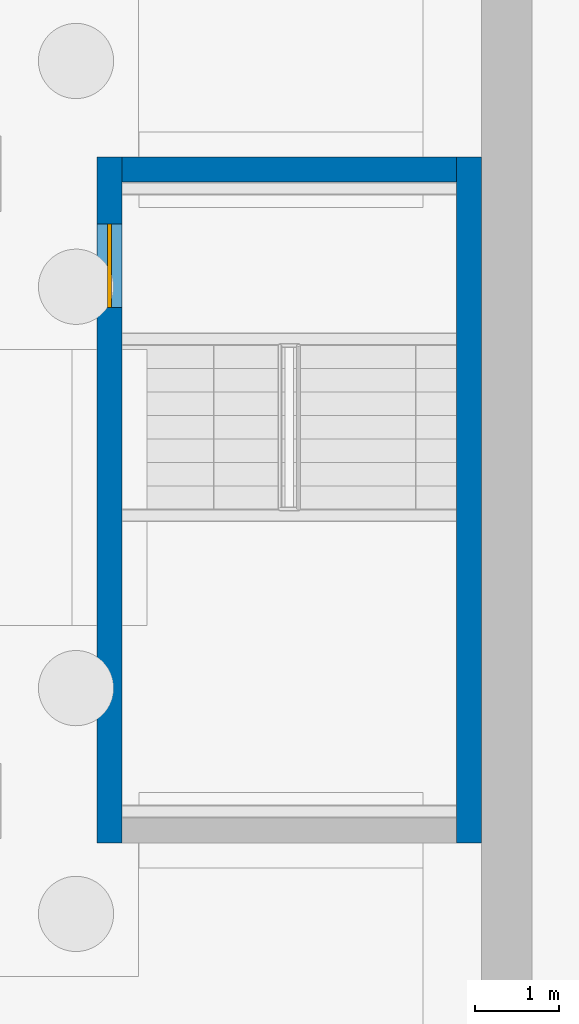
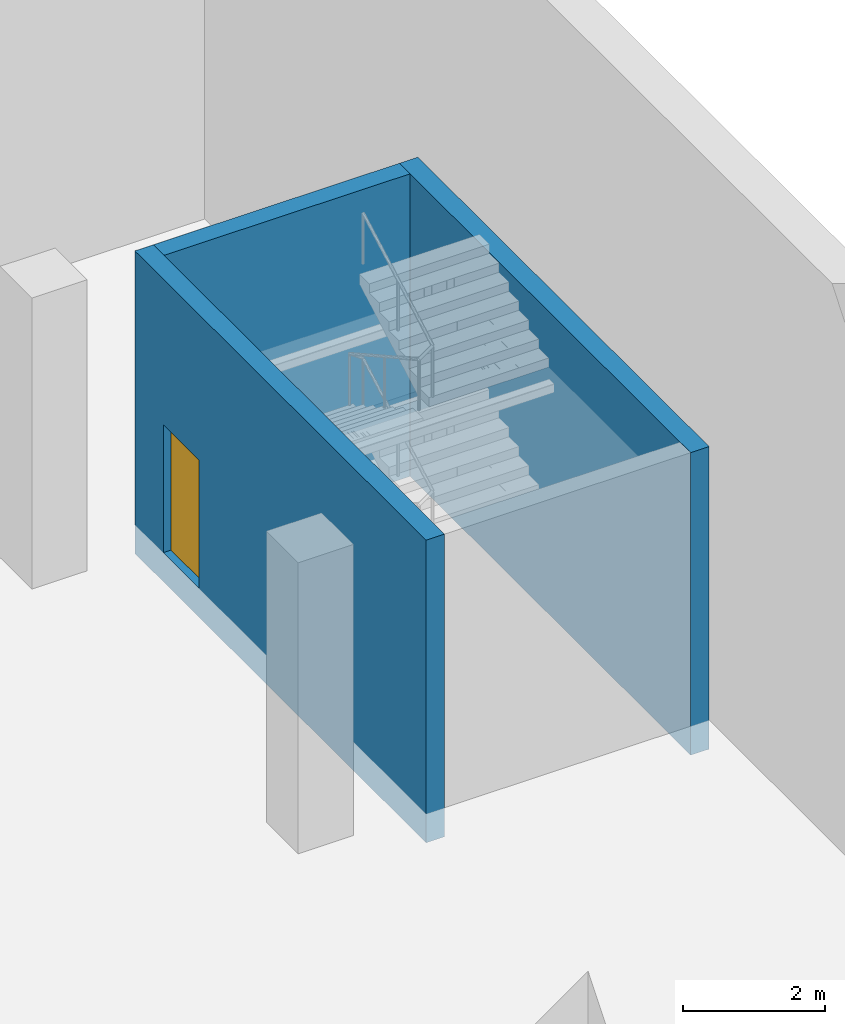
# One storey, part 15 of 31: 3 walls, 1 door, 1 opening.
"""IFC4 building model written with IfcOpenShell, lengths in metres."""

from ifc_helpers import new_model, si_unit, direction, frame, frame_2d, origin, place, context, subcontext, project, spatial, rectangle, extrude, material, layer, layer_set, type_object, element, fill, save


model = new_model("IFC4")

# Units and contexts
model_context = context("Model", 3, precision=1e-05, world=origin(), true_north=direction((0.0, 1.0)))
body_context = subcontext(model_context, "Body", "Model", "MODEL_VIEW")
ifc_project = project(units=[si_unit("LENGTHUNIT", "METRE"), si_unit("AREAUNIT", "SQUARE_METRE"), si_unit("VOLUMEUNIT", "CUBIC_METRE"), si_unit("PLANEANGLEUNIT", "RADIAN"), si_unit("MASSUNIT", "GRAM", prefix="KILO")], contexts=[model_context])

# Site, building, storey
site_placement = place(None, origin())
site = spatial("IfcSite", under=ifc_project, at=site_placement, CompositionType="ELEMENT")
building_placement = place(site_placement, origin())
building = spatial("IfcBuilding", under=site, at=building_placement, Name="Mizan Broadcast Tower", CompositionType="ELEMENT")
storey_placement = place(building_placement, frame((0.0, 0.0, -10.0)))
storey = spatial("IfcBuildingStorey", under=building, at=storey_placement, Name="B2", CompositionType="ELEMENT", Elevation=-10.0)

# Wall, opening, door
ifc_material_1 = material(Name="Concrete C40/50", Category="concrete")
ifc_layer = layer(ifc_material_1, 0.300048828125)
ifc_layer_set = layer_set([ifc_layer], Name="Concrete C40/50")
wall_type = type_object("IfcWallType", Name="STAIR SHAFT WALL 300 RC", PredefinedType="SOLIDWALL", material=ifc_layer_set)
wall_1_placement = place(storey_placement, frame((43.75, 42.199951171875, -0.5), z_axis=(0.0, 0.0, 1.0), x_axis=(0.0, -1.0, 0.0)))
wall_1 = element("IfcWall", 1, at=wall_1_placement, inside=storey, type_object=wall_type, Name="Stair shaft wall E I", PredefinedType="SOLIDWALL", context=body_context, shape_type="SweptSolid", body=[
    extrude(rectangle(XDim=8.199951171875, YDim=0.300048828125, at=frame_2d((4.10009765625, 0.0))), origin(), (0.0, 0.0, 1.0), 5.199951171875),
])
opening_placement = place(wall_1_placement, frame((0.800048828125, 0.0, 0.5)))
opening = element("IfcOpeningElement", 2, at=opening_placement, cuts=wall_1, Name="Opening D10S", PredefinedType="OPENING", context=body_context, shape_type="SweptSolid", body=[
    extrude(rectangle(XDim=1.0, YDim=2.199951171875, at=frame_2d((0.5, 1.10009765625))), frame((0.0, 0.159912109375, 0.0), z_axis=(0.0, -1.0, 0.0), x_axis=(1.0, 0.0, 0.0)), (0.0, 0.0, 1.0), 0.320068359375),
])
ifc_material_2 = material(Name="Steel door leaf in steel frame", Category="steel")
door_type = type_object("IfcDoorType", Name="STAIR DOOR 1000 FD90S", OperationType="SINGLE_SWING_RIGHT", PredefinedType="DOOR", material=ifc_material_2)
door_placement = place(opening_placement, origin())
door = element("IfcDoor", 3, at=door_placement, inside=storey, type_object=door_type, Name="Stair E door", OperationType="SINGLE_SWING_RIGHT", OverallHeight=2.199951171875, OverallWidth=1.0, PredefinedType="DOOR", context=body_context, shape_type="SweptSolid", body=[
    extrude(rectangle(XDim=1.0, YDim=2.199951171875, at=frame_2d((0.5, 1.10009765625))), frame((0.0, 0.02490234375, 0.0), z_axis=(0.0, -1.0, 0.0), x_axis=(1.0, 0.0, 0.0)), (0.0, 0.0, 1.0), 0.050048828125),
])
fill(opening, door)

# Walls
wall_2_placement = place(storey_placement, frame((48.050048828125, 34.0, -0.5), z_axis=(0.0, 0.0, 1.0), x_axis=(0.0, 1.0, 0.0)))
element("IfcWall", 4, at=wall_2_placement, inside=storey, type_object=wall_type, Name="Stair shaft wall E O", PredefinedType="SOLIDWALL", context=body_context, shape_type="SweptSolid", body=[
    extrude(rectangle(XDim=8.199951171875, YDim=0.300048828125, at=frame_2d((4.10009765625, 0.0))), origin(), (0.0, 0.0, 1.0), 5.199951171875),
])
wall_3_placement = place(storey_placement, frame((43.89990234375, 42.050048828125, -0.5), z_axis=(0.0, 0.0, 1.0), x_axis=(1.0, 0.0, 0.0)))
element("IfcWall", 5, at=wall_3_placement, inside=storey, type_object=wall_type, Name="Stair shaft wall E D", PredefinedType="SOLIDWALL", context=body_context, shape_type="SweptSolid", body=[
    extrude(rectangle(XDim=4.0, YDim=0.300048828125, at=frame_2d((2.0, 0.0))), origin(), (0.0, 0.0, 1.0), 5.199951171875),
])

save(model, "model.ifc")
